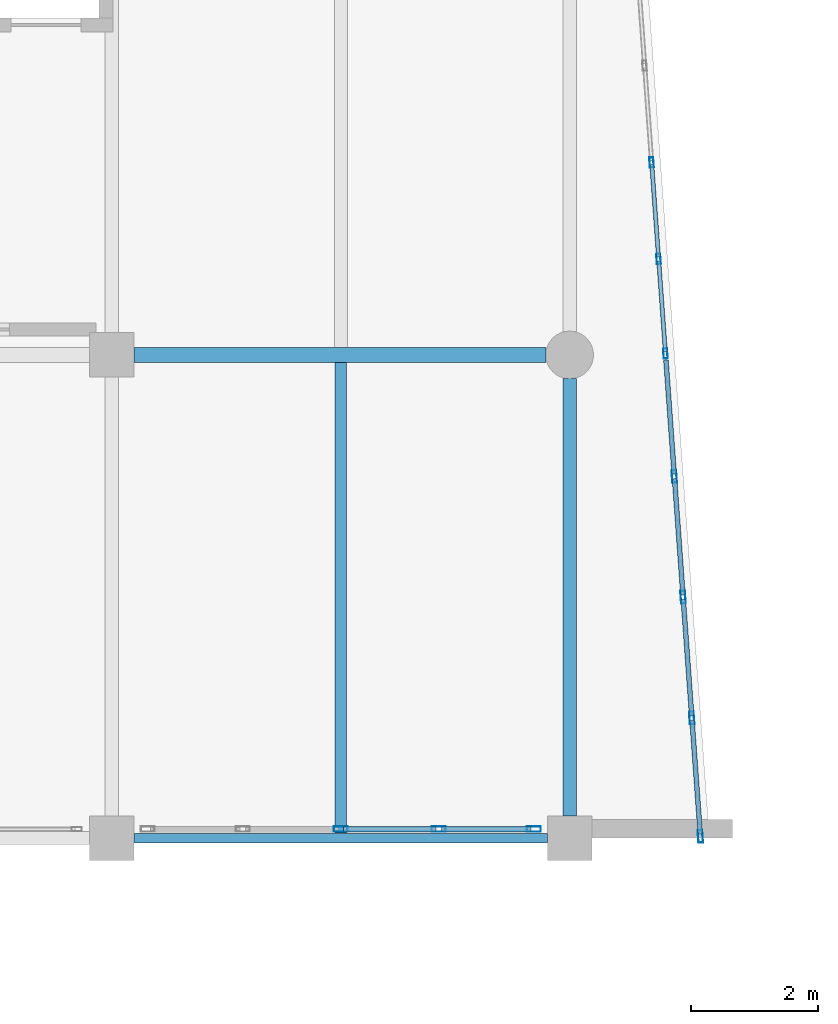
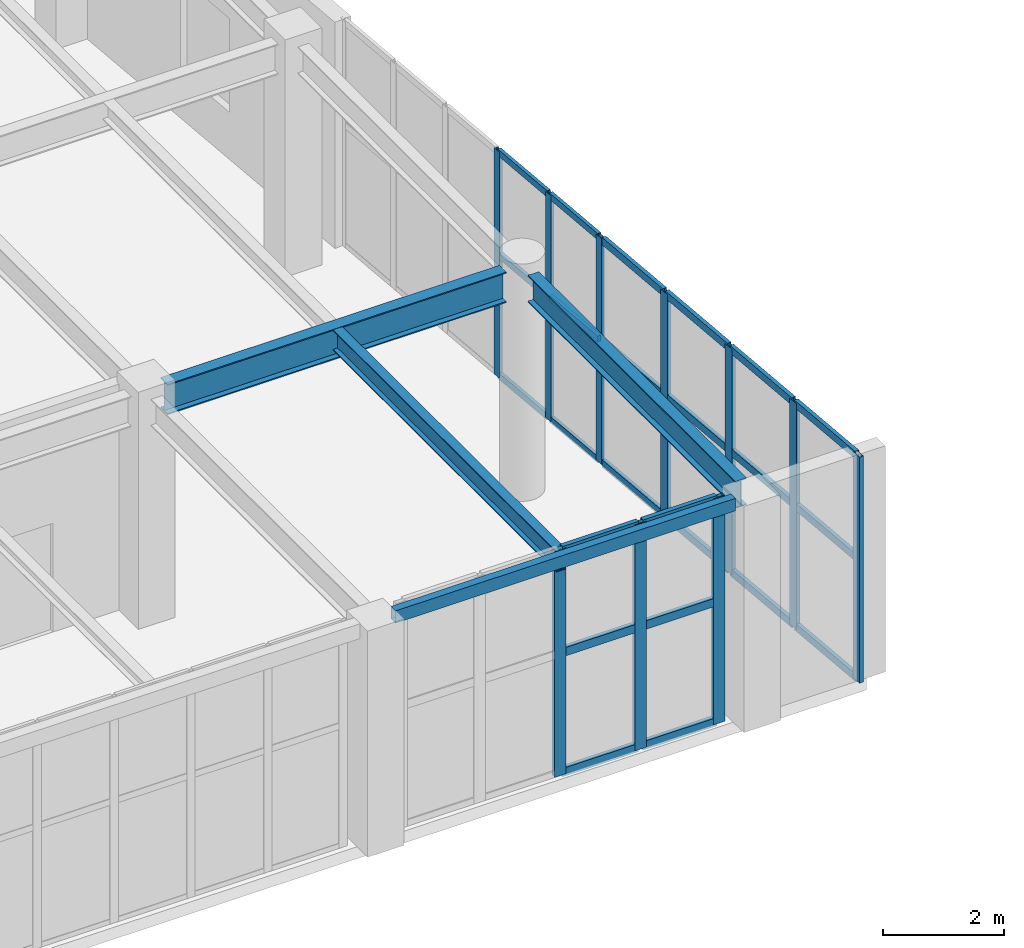
# One storey, part 25 of 72: 34 members, 4 beams, 3 elements without a shape of their own.
"""IFC4 building model written with IfcOpenShell, lengths in metres."""

from ifc_helpers import new_model, si_unit, direction, frame, origin, origin_2d, place, context, subcontext, project, spatial, hollow_rectangle, i_section, extrude, material, layer, layer_set, material_profile, profile_set, type_object, element, aggregate, save


model = new_model("IFC4")

# Units and contexts
model_context = context("Model", 3, precision=1e-05, world=origin(), true_north=direction((0.0, 1.0)))
body_context = subcontext(model_context, "Body", "Model", "MODEL_VIEW")
ifc_project = project(units=[si_unit("LENGTHUNIT", "METRE"), si_unit("AREAUNIT", "SQUARE_METRE"), si_unit("VOLUMEUNIT", "CUBIC_METRE"), si_unit("PLANEANGLEUNIT", "RADIAN"), si_unit("MASSUNIT", "GRAM", prefix="KILO")], contexts=[model_context])

# Site, building, storey
site_placement = place(None, origin())
site = spatial("IfcSite", under=ifc_project, at=site_placement, CompositionType="ELEMENT")
building_placement = place(site_placement, origin())
building = spatial("IfcBuilding", under=site, at=building_placement, Name="Xicomal Pleat Aquarium", CompositionType="ELEMENT")
storey_placement = place(building_placement, frame((0.0, 0.0, 10.5)))
storey = spatial("IfcBuildingStorey", under=building, at=storey_placement, Name="L03", CompositionType="ELEMENT", Elevation=10.5)

# Beams
ifc_material_1 = material(Name="Structural steel A992 Gr 50", Category="steel")
ifc_material_profile_1 = material_profile(ifc_material_1, i_section(OverallWidth=0.180908203125, OverallDepth=0.4169921875, WebThickness=0.010986328125, FlangeThickness=0.018310546875, at=origin_2d()), Name="IR 410x85")
ifc_profile_set_1 = profile_set([ifc_material_profile_1], Name="Structural steel A992 Gr 50")
beam_type_1 = type_object("IfcBeamType", Name="BM-STL-IR410", PredefinedType="JOIST", material=ifc_profile_set_1)
beam_1_placement = place(storey_placement, frame((114.60009765625, 38.077880859375, 4.366455078125), z_axis=(0.0, 1.0, 0.0), x_axis=(-1.0, 0.0, 0.0)))
element("IfcBeam", 1, at=beam_1_placement, inside=storey, type_object=beam_type_1, Name="L03 framing beam FBJ-L03-14-F-1", PredefinedType="JOIST", context=body_context, shape_type="SweptSolid", body=[
    extrude(i_section(OverallWidth=0.180908203125, OverallDepth=0.4169921875, WebThickness=0.010986328125, FlangeThickness=0.018310546875, at=origin_2d()), origin(), (0.0, 0.0, 1.0), 7.404052734375),
])
ifc_material_2 = material(Name="Structural steel A992 Gr 50", Category="steel")
ifc_material_profile_2 = material_profile(ifc_material_2, i_section(OverallWidth=0.2119140625, OverallDepth=0.5439453125, WebThickness=0.01318359375, FlangeThickness=0.021240234375, at=origin_2d()), Name="IR 530x123")
ifc_profile_set_2 = profile_set([ifc_material_profile_2], Name="Structural steel A992 Gr 50")
beam_type_2 = type_object("IfcBeamType", Name="BM-STL-IR530", PredefinedType="BEAM", material=ifc_profile_set_2)
beam_2_placement = place(storey_placement, frame((118.199951171875, 38.344970703125, 4.302978515625), z_axis=(0.0, 1.0, 0.0), x_axis=(-1.0, 0.0, 0.0)))
element("IfcBeam", 2, at=beam_2_placement, inside=storey, type_object=beam_type_2, Name="L03 framing beam FGY-L03-15-F-G", PredefinedType="BEAM", context=body_context, shape_type="SweptSolid", body=[
    extrude(i_section(OverallWidth=0.2119140625, OverallDepth=0.5439453125, WebThickness=0.01318359375, FlangeThickness=0.021240234375, at=origin_2d()), origin(), (0.0, 0.0, 1.0), 6.885009765625),
])
ifc_material_3 = material(Name="Structural steel A992 Gr 50", Category="steel")
ifc_material_profile_3 = material_profile(ifc_material_3, i_section(OverallWidth=0.22998046875, OverallDepth=0.616943359375, WebThickness=0.01318359375, FlangeThickness=0.022216796875, at=origin_2d()), Name="IR 610x140")
ifc_profile_set_3 = profile_set([ifc_material_profile_3], Name="Structural steel A992 Gr 50")
beam_type_3 = type_object("IfcBeamType", Name="BM-STL-IR610", PredefinedType="BEAM", material=ifc_profile_set_3)
beam_3_placement = place(storey_placement, frame((111.344970703125, 45.60009765625, 4.2666015625), z_axis=(1.0, 0.0, 0.0), x_axis=(0.0, 1.0, 0.0)))
element("IfcBeam", 3, at=beam_3_placement, inside=storey, type_object=beam_type_3, Name="L03 framing beam FGX-L03-14-15-G", PredefinedType="BEAM", context=body_context, shape_type="SweptSolid", body=[
    extrude(i_section(OverallWidth=0.22998046875, OverallDepth=0.616943359375, WebThickness=0.01318359375, FlangeThickness=0.022216796875, at=origin_2d()), origin(), (0.0, 0.0, 1.0), 6.485107421875),
])
ifc_material_4 = material(Name="Structural steel A500 Gr C", Category="steel")
ifc_material_profile_4 = material_profile(ifc_material_4, hollow_rectangle(XDim=0.14990234375, YDim=0.25, WallThickness=0.010009765625, at=origin_2d()), Name="OR 250x150x10")
ifc_profile_set_4 = profile_set([ifc_material_profile_4], Name="Structural steel A500 Gr C")
beam_type_4 = type_object("IfcBeamType", Name="BM-STL-OR250", PredefinedType="SPANDREL", material=ifc_profile_set_4)
beam_4_placement = place(storey_placement, frame((111.344970703125, 38.0, 4.449951171875), z_axis=(1.0, 0.0, 0.0), x_axis=(0.0, 1.0, 0.0)))
element("IfcBeam", 4, at=beam_4_placement, inside=storey, type_object=beam_type_4, Name="L03 framing beam FGX-L03-14-15-F", PredefinedType="SPANDREL", context=body_context, shape_type="SweptSolid", body=[
    extrude(hollow_rectangle(XDim=0.14990234375, YDim=0.25, WallThickness=0.010009765625, at=origin_2d()), origin(), (0.0, 0.0, 1.0), 6.510009765625),
])

# Curtain wall, members
ifc_material_5 = material(Name="Bronze anodized aluminium 6063-T6", Category="aluminium")
ifc_layer_1 = layer(ifc_material_5, 0.159912109375)
ifc_layer_set_1 = layer_set([ifc_layer_1], Name="Bronze anodized aluminium 6063-T6")
curtain_wall_type_1 = type_object("IfcCurtainWallType", Name="CW-SYS-03", PredefinedType="NOTDEFINED", material=ifc_layer_set_1)
curtain_wall_1_placement = place(storey_placement, origin())
curtain_wall_1 = element("IfcCurtainWall", 5, at=curtain_wall_1_placement, inside=storey, type_object=curtain_wall_type_1, Name="L03 unitised curtain wall CW-L03-159", PredefinedType="NOTDEFINED")
ifc_material_6 = material(Name="Bronze anodized aluminium 6063-T6", Category="aluminium")
ifc_material_profile_5 = material_profile(ifc_material_6, hollow_rectangle(XDim=0.06494140625, YDim=0.159912109375, WallThickness=0.00390625, at=origin_2d()), Name="ALU MULL 65x160")
ifc_profile_set_5 = profile_set([ifc_material_profile_5], Name="Bronze anodized aluminium 6063-T6")
member_type_1 = type_object("IfcMemberType", Name="CWM-65x160", PredefinedType="MULLION", material=ifc_profile_set_5)
member_1_placement = place(storey_placement, frame((119.489990234375, 48.6298828125, 0.0), z_axis=(0.0, 0.0, 1.0), x_axis=(0.997391646685, 0.072179658646, 0.0)))
member_1 = element("IfcMember", 6, at=member_1_placement, type_object=member_type_1, Name="CW-03 mullion 4", PredefinedType="MULLION", context=body_context, shape_type="SweptSolid", body=[
    extrude(hollow_rectangle(XDim=0.06494140625, YDim=0.159912109375, WallThickness=0.00390625, at=origin_2d()), origin(), (0.0, 0.0, 1.0), 4.574951171875),
])
member_2_placement = place(storey_placement, frame((119.60009765625, 47.110107421875, 0.0), z_axis=(0.0, 0.0, 1.0), x_axis=(0.997391646685, 0.072179658646, 0.0)))
member_2 = element("IfcMember", 7, at=member_2_placement, type_object=member_type_1, Name="CW-03 mullion 5", PredefinedType="MULLION", context=body_context, shape_type="SweptSolid", body=[
    extrude(hollow_rectangle(XDim=0.06494140625, YDim=0.159912109375, WallThickness=0.00390625, at=origin_2d()), origin(), (0.0, 0.0, 1.0), 4.574951171875),
])
member_3_placement = place(storey_placement, frame((119.707763671875, 45.622314453125, 0.0), z_axis=(0.0, 0.0, 1.0), x_axis=(0.997391646685, 0.072179658646, 0.0)))
member_3 = element("IfcMember", 8, at=member_3_placement, type_object=member_type_1, Name="CW-03 mullion 6", PredefinedType="MULLION", context=body_context, shape_type="SweptSolid", body=[
    extrude(hollow_rectangle(XDim=0.06494140625, YDim=0.159912109375, WallThickness=0.00390625, at=origin_2d()), origin(), (0.0, 0.0, 1.0), 4.574951171875),
])

ifc_material_7 = material(Name="Bronze anodized aluminium 6063-T6", Category="aluminium")
ifc_layer_2 = layer(ifc_material_7, 0.159912109375)
ifc_layer_set_2 = layer_set([ifc_layer_2], Name="Bronze anodized aluminium 6063-T6")
curtain_wall_type_2 = type_object("IfcCurtainWallType", Name="CW-SYS-08", PredefinedType="NOTDEFINED", material=ifc_layer_set_2)
curtain_wall_2_placement = place(storey_placement, origin())
curtain_wall_2 = element("IfcCurtainWall", 9, at=curtain_wall_2_placement, inside=storey, type_object=curtain_wall_type_2, Name="L03 unitised curtain wall CW-L03-160", PredefinedType="NOTDEFINED")
ifc_material_8 = material(Name="Bronze anodized aluminium 6063-T6", Category="aluminium")
ifc_material_profile_6 = material_profile(ifc_material_8, hollow_rectangle(XDim=0.074951171875, YDim=0.199951171875, WallThickness=0.00439453125, at=origin_2d()), Name="ALU MULL 75x200")
ifc_profile_set_6 = profile_set([ifc_material_profile_6], Name="Bronze anodized aluminium 6063-T6")
member_type_2 = type_object("IfcMemberType", Name="CWM-75x200", PredefinedType="MULLION", material=ifc_profile_set_6)
member_4_placement = place(storey_placement, frame((119.847412109375, 43.68994140625, 0.0), z_axis=(0.0, 0.0, 1.0), x_axis=(0.997391646685, 0.072179658646, 0.0)))
member_4 = element("IfcMember", 10, at=member_4_placement, type_object=member_type_2, Name="CW-08 mullion 2", PredefinedType="MULLION", context=body_context, shape_type="SweptSolid", body=[
    extrude(hollow_rectangle(XDim=0.074951171875, YDim=0.199951171875, WallThickness=0.00439453125, at=origin_2d()), origin(), (0.0, 0.0, 1.0), 4.574951171875),
])
member_5_placement = place(storey_placement, frame((119.985107421875, 41.7900390625, 0.0), z_axis=(0.0, 0.0, 1.0), x_axis=(0.997391646685, 0.072179658646, 0.0)))
member_5 = element("IfcMember", 11, at=member_5_placement, type_object=member_type_2, Name="CW-08 mullion 3", PredefinedType="MULLION", context=body_context, shape_type="SweptSolid", body=[
    extrude(hollow_rectangle(XDim=0.074951171875, YDim=0.199951171875, WallThickness=0.00439453125, at=origin_2d()), origin(), (0.0, 0.0, 1.0), 4.574951171875),
])
member_6_placement = place(storey_placement, frame((120.12255859375, 39.889892578125, 0.0), z_axis=(0.0, 0.0, 1.0), x_axis=(0.997391646685, 0.072179658646, 0.0)))
member_6 = element("IfcMember", 12, at=member_6_placement, type_object=member_type_2, Name="CW-08 mullion 4", PredefinedType="MULLION", context=body_context, shape_type="SweptSolid", body=[
    extrude(hollow_rectangle(XDim=0.074951171875, YDim=0.199951171875, WallThickness=0.00439453125, at=origin_2d()), origin(), (0.0, 0.0, 1.0), 4.574951171875),
])
member_7_placement = place(storey_placement, frame((120.25732421875, 38.02734375, 0.0), z_axis=(0.0, 0.0, 1.0), x_axis=(0.997391646685, 0.072179658646, 0.0)))
member_7 = element("IfcMember", 13, at=member_7_placement, type_object=member_type_2, Name="CW-08 mullion 5", PredefinedType="MULLION", context=body_context, shape_type="SweptSolid", body=[
    extrude(hollow_rectangle(XDim=0.074951171875, YDim=0.199951171875, WallThickness=0.00439453125, at=origin_2d()), origin(), (0.0, 0.0, 1.0), 4.574951171875),
])

curtain_wall_3_placement = place(storey_placement, origin())
curtain_wall_3 = element("IfcCurtainWall", 14, at=curtain_wall_3_placement, inside=storey, type_object=curtain_wall_type_1, Name="L03 unitised curtain wall CW-L03-161", PredefinedType="NOTDEFINED")
ifc_material_9 = material(Name="Bronze anodized aluminium 6063-T6", Category="aluminium")
ifc_material_profile_7 = material_profile(ifc_material_9, hollow_rectangle(XDim=0.0849609375, YDim=0.219970703125, WallThickness=0.0048828125, at=origin_2d()), Name="ALU MULL 85x220")
ifc_profile_set_7 = profile_set([ifc_material_profile_7], Name="Bronze anodized aluminium 6063-T6")
member_type_3 = type_object("IfcMemberType", Name="CWM-85x220", PredefinedType="MULLION", material=ifc_profile_set_7)
member_8_placement = place(storey_placement, frame((117.637451171875, 38.139892578125, 0.0), z_axis=(0.0, 0.0, 1.0), x_axis=(0.0, -1.0, 0.0)))
member_8 = element("IfcMember", 15, at=member_8_placement, type_object=member_type_3, Name="CW-03 mullion 1", PredefinedType="MULLION", context=body_context, shape_type="SweptSolid", body=[
    extrude(hollow_rectangle(XDim=0.0849609375, YDim=0.219970703125, WallThickness=0.0048828125, at=origin_2d()), origin(), (0.0, 0.0, 1.0), 4.574951171875),
])
member_9_placement = place(storey_placement, frame((116.139892578125, 38.139892578125, 0.0), z_axis=(0.0, 0.0, 1.0), x_axis=(0.0, -1.0, 0.0)))
member_9 = element("IfcMember", 16, at=member_9_placement, type_object=member_type_3, Name="CW-03 mullion 2", PredefinedType="MULLION", context=body_context, shape_type="SweptSolid", body=[
    extrude(hollow_rectangle(XDim=0.0849609375, YDim=0.219970703125, WallThickness=0.0048828125, at=origin_2d()), origin(), (0.0, 0.0, 1.0), 4.574951171875),
])
member_10_placement = place(storey_placement, frame((114.60009765625, 38.139892578125, 0.0), z_axis=(0.0, 0.0, 1.0), x_axis=(0.0, -1.0, 0.0)))
member_10 = element("IfcMember", 17, at=member_10_placement, type_object=member_type_3, Name="CW-03 mullion 3", PredefinedType="MULLION", context=body_context, shape_type="SweptSolid", body=[
    extrude(hollow_rectangle(XDim=0.0849609375, YDim=0.219970703125, WallThickness=0.0048828125, at=origin_2d()), origin(), (0.0, 0.0, 1.0), 4.574951171875),
])

# Member
ifc_material_10 = material(Name="Bronze anodized aluminium 6063-T6", Category="aluminium")
ifc_material_profile_8 = material_profile(ifc_material_10, hollow_rectangle(XDim=0.06494140625, YDim=0.1298828125, WallThickness=0.00390625, at=origin_2d()), Name="ALU TRAN 65x130")
ifc_profile_set_8 = profile_set([ifc_material_profile_8], Name="Bronze anodized aluminium 6063-T6")
member_type_4 = type_object("IfcMemberType", Name="CWT-65x130", PredefinedType="USERDEFINED", material=ifc_profile_set_8)
member_11_placement = place(storey_placement, frame((119.4921875, 48.59765625, 0.032470703125), z_axis=(0.072281497284, -0.997384271558, 0.0), x_axis=(0.997384271558, 0.072281497284, 0.0)))
member_11 = element("IfcMember", 18, at=member_11_placement, type_object=member_type_4, Name="CW-03 transom 4.1", ObjectType="TRANSOM", PredefinedType="USERDEFINED", context=body_context, shape_type="SweptSolid", body=[
    extrude(hollow_rectangle(XDim=0.06494140625, YDim=0.1298828125, WallThickness=0.00390625, at=origin_2d()), origin(), (0.0, 0.0, 1.0), 1.459228515625),
])

member_12_placement = place(storey_placement, frame((119.4921875, 48.59765625, 2.469970703125), z_axis=(0.072281497284, -0.997384271558, 0.0), x_axis=(0.997384271558, 0.072281497284, 0.0)))
member_12 = element("IfcMember", 19, at=member_12_placement, type_object=member_type_4, Name="CW-03 transom 4.2", ObjectType="TRANSOM", PredefinedType="USERDEFINED", context=body_context, shape_type="SweptSolid", body=[
    extrude(hollow_rectangle(XDim=0.06494140625, YDim=0.1298828125, WallThickness=0.00390625, at=origin_2d()), origin(), (0.0, 0.0, 1.0), 1.459228515625),
])

member_13_placement = place(storey_placement, frame((119.4921875, 48.59765625, 4.54248046875), z_axis=(0.072281497284, -0.997384271558, 0.0), x_axis=(0.997384271558, 0.072281497284, 0.0)))
member_13 = element("IfcMember", 20, at=member_13_placement, type_object=member_type_4, Name="CW-03 transom 4.3", ObjectType="TRANSOM", PredefinedType="USERDEFINED", context=body_context, shape_type="SweptSolid", body=[
    extrude(hollow_rectangle(XDim=0.06494140625, YDim=0.1298828125, WallThickness=0.00390625, at=origin_2d()), origin(), (0.0, 0.0, 1.0), 1.459228515625),
])

member_14_placement = place(storey_placement, frame((119.602294921875, 47.07763671875, 0.032470703125), z_axis=(0.072219979953, -0.997388727877, 0.0), x_axis=(0.997388727877, 0.072219979953, 0.0)))
member_14 = element("IfcMember", 21, at=member_14_placement, type_object=member_type_4, Name="CW-03 transom 5.1", ObjectType="TRANSOM", PredefinedType="USERDEFINED", context=body_context, shape_type="SweptSolid", body=[
    extrude(hollow_rectangle(XDim=0.06494140625, YDim=0.1298828125, WallThickness=0.00390625, at=origin_2d()), origin(), (0.0, 0.0, 1.0), 1.426513671875),
])

member_15_placement = place(storey_placement, frame((119.602294921875, 47.07763671875, 2.469970703125), z_axis=(0.072219979953, -0.997388727877, 0.0), x_axis=(0.997388727877, 0.072219979953, 0.0)))
member_15 = element("IfcMember", 22, at=member_15_placement, type_object=member_type_4, Name="CW-03 transom 5.2", ObjectType="TRANSOM", PredefinedType="USERDEFINED", context=body_context, shape_type="SweptSolid", body=[
    extrude(hollow_rectangle(XDim=0.06494140625, YDim=0.1298828125, WallThickness=0.00390625, at=origin_2d()), origin(), (0.0, 0.0, 1.0), 1.426513671875),
])

member_16_placement = place(storey_placement, frame((119.602294921875, 47.07763671875, 4.54248046875), z_axis=(0.072219979953, -0.997388727877, 0.0), x_axis=(0.997388727877, 0.072219979953, 0.0)))
member_16 = element("IfcMember", 23, at=member_16_placement, type_object=member_type_4, Name="CW-03 transom 5.3", ObjectType="TRANSOM", PredefinedType="USERDEFINED", context=body_context, shape_type="SweptSolid", body=[
    extrude(hollow_rectangle(XDim=0.06494140625, YDim=0.1298828125, WallThickness=0.00390625, at=origin_2d()), origin(), (0.0, 0.0, 1.0), 1.426513671875),
])

aggregate(curtain_wall_1, [member_1, member_2, member_3, member_11, member_12, member_13, member_14, member_15, member_16])

ifc_material_11 = material(Name="Bronze anodized aluminium 6063-T6", Category="aluminium")
ifc_material_profile_9 = material_profile(ifc_material_11, hollow_rectangle(XDim=0.074951171875, YDim=0.14990234375, WallThickness=0.00439453125, at=origin_2d()), Name="ALU TRAN 75x150")
ifc_profile_set_9 = profile_set([ifc_material_profile_9], Name="Bronze anodized aluminium 6063-T6")
member_type_5 = type_object("IfcMemberType", Name="CWT-75x150", PredefinedType="USERDEFINED", material=ifc_profile_set_9)
member_17_placement = place(storey_placement, frame((119.71533203125, 45.51513671875, 0.03759765625), z_axis=(0.072185898322, -0.99739119511, 0.0), x_axis=(0.99739119511, 0.072185898322, 0.0)))
member_17 = element("IfcMember", 24, at=member_17_placement, type_object=member_type_5, Name="CW-08 transom 1.1", ObjectType="TRANSOM", PredefinedType="USERDEFINED", context=body_context, shape_type="SweptSolid", body=[
    extrude(hollow_rectangle(XDim=0.074951171875, YDim=0.14990234375, WallThickness=0.00439453125, at=origin_2d()), origin(), (0.0, 0.0, 1.0), 1.79248046875),
])

member_18_placement = place(storey_placement, frame((119.71533203125, 45.51513671875, 2.469970703125), z_axis=(0.072185898322, -0.99739119511, 0.0), x_axis=(0.99739119511, 0.072185898322, 0.0)))
member_18 = element("IfcMember", 25, at=member_18_placement, type_object=member_type_5, Name="CW-08 transom 1.2", ObjectType="TRANSOM", PredefinedType="USERDEFINED", context=body_context, shape_type="SweptSolid", body=[
    extrude(hollow_rectangle(XDim=0.074951171875, YDim=0.14990234375, WallThickness=0.00439453125, at=origin_2d()), origin(), (0.0, 0.0, 1.0), 1.79248046875),
])

member_19_placement = place(storey_placement, frame((119.71533203125, 45.51513671875, 4.53759765625), z_axis=(0.072185898322, -0.99739119511, 0.0), x_axis=(0.99739119511, 0.072185898322, 0.0)))
member_19 = element("IfcMember", 26, at=member_19_placement, type_object=member_type_5, Name="CW-08 transom 1.3", ObjectType="TRANSOM", PredefinedType="USERDEFINED", context=body_context, shape_type="SweptSolid", body=[
    extrude(hollow_rectangle(XDim=0.074951171875, YDim=0.14990234375, WallThickness=0.00439453125, at=origin_2d()), origin(), (0.0, 0.0, 1.0), 1.79248046875),
])

member_20_placement = place(storey_placement, frame((119.85009765625, 43.652587890625, 0.03759765625), z_axis=(0.072308881667, -0.997382286604, 0.0), x_axis=(0.997382286604, 0.072308881667, 0.0)))
member_20 = element("IfcMember", 27, at=member_20_placement, type_object=member_type_5, Name="CW-08 transom 2.1", ObjectType="TRANSOM", PredefinedType="USERDEFINED", context=body_context, shape_type="SweptSolid", body=[
    extrude(hollow_rectangle(XDim=0.074951171875, YDim=0.14990234375, WallThickness=0.00439453125, at=origin_2d()), origin(), (0.0, 0.0, 1.0), 1.830078125),
])

member_21_placement = place(storey_placement, frame((119.85009765625, 43.652587890625, 2.469970703125), z_axis=(0.072308881667, -0.997382286604, 0.0), x_axis=(0.997382286604, 0.072308881667, 0.0)))
member_21 = element("IfcMember", 28, at=member_21_placement, type_object=member_type_5, Name="CW-08 transom 2.2", ObjectType="TRANSOM", PredefinedType="USERDEFINED", context=body_context, shape_type="SweptSolid", body=[
    extrude(hollow_rectangle(XDim=0.074951171875, YDim=0.14990234375, WallThickness=0.00439453125, at=origin_2d()), origin(), (0.0, 0.0, 1.0), 1.830078125),
])

member_22_placement = place(storey_placement, frame((119.85009765625, 43.652587890625, 4.53759765625), z_axis=(0.072308881667, -0.997382286604, 0.0), x_axis=(0.997382286604, 0.072308881667, 0.0)))
member_22 = element("IfcMember", 29, at=member_22_placement, type_object=member_type_5, Name="CW-08 transom 2.3", ObjectType="TRANSOM", PredefinedType="USERDEFINED", context=body_context, shape_type="SweptSolid", body=[
    extrude(hollow_rectangle(XDim=0.074951171875, YDim=0.14990234375, WallThickness=0.00439453125, at=origin_2d()), origin(), (0.0, 0.0, 1.0), 1.830078125),
])

member_23_placement = place(storey_placement, frame((119.98779296875, 41.752685546875, 0.03759765625), z_axis=(0.072176166077, -0.997391899431, 0.0), x_axis=(0.997391899431, 0.072176166077, 0.0)))
member_23 = element("IfcMember", 30, at=member_23_placement, type_object=member_type_5, Name="CW-08 transom 3.1", ObjectType="TRANSOM", PredefinedType="USERDEFINED", context=body_context, shape_type="SweptSolid", body=[
    extrude(hollow_rectangle(XDim=0.074951171875, YDim=0.14990234375, WallThickness=0.00439453125, at=origin_2d()), origin(), (0.0, 0.0, 1.0), 1.830078125),
])

member_24_placement = place(storey_placement, frame((119.98779296875, 41.752685546875, 2.469970703125), z_axis=(0.072176166077, -0.997391899431, 0.0), x_axis=(0.997391899431, 0.072176166077, 0.0)))
member_24 = element("IfcMember", 31, at=member_24_placement, type_object=member_type_5, Name="CW-08 transom 3.2", ObjectType="TRANSOM", PredefinedType="USERDEFINED", context=body_context, shape_type="SweptSolid", body=[
    extrude(hollow_rectangle(XDim=0.074951171875, YDim=0.14990234375, WallThickness=0.00439453125, at=origin_2d()), origin(), (0.0, 0.0, 1.0), 1.830078125),
])

member_25_placement = place(storey_placement, frame((119.98779296875, 41.752685546875, 4.53759765625), z_axis=(0.072176166077, -0.997391899431, 0.0), x_axis=(0.997391899431, 0.072176166077, 0.0)))
member_25 = element("IfcMember", 32, at=member_25_placement, type_object=member_type_5, Name="CW-08 transom 3.3", ObjectType="TRANSOM", PredefinedType="USERDEFINED", context=body_context, shape_type="SweptSolid", body=[
    extrude(hollow_rectangle(XDim=0.074951171875, YDim=0.14990234375, WallThickness=0.00439453125, at=origin_2d()), origin(), (0.0, 0.0, 1.0), 1.830078125),
])

member_26_placement = place(storey_placement, frame((120.125244140625, 39.8525390625, 0.03759765625), z_axis=(0.072185898322, -0.99739119511, 0.0), x_axis=(0.99739119511, 0.072185898322, 0.0)))
member_26 = element("IfcMember", 33, at=member_26_placement, type_object=member_type_5, Name="CW-08 transom 4.1", ObjectType="TRANSOM", PredefinedType="USERDEFINED", context=body_context, shape_type="SweptSolid", body=[
    extrude(hollow_rectangle(XDim=0.074951171875, YDim=0.14990234375, WallThickness=0.00439453125, at=origin_2d()), origin(), (0.0, 0.0, 1.0), 1.79248046875),
])

member_27_placement = place(storey_placement, frame((120.125244140625, 39.8525390625, 2.469970703125), z_axis=(0.072185898322, -0.99739119511, 0.0), x_axis=(0.99739119511, 0.072185898322, 0.0)))
member_27 = element("IfcMember", 34, at=member_27_placement, type_object=member_type_5, Name="CW-08 transom 4.2", ObjectType="TRANSOM", PredefinedType="USERDEFINED", context=body_context, shape_type="SweptSolid", body=[
    extrude(hollow_rectangle(XDim=0.074951171875, YDim=0.14990234375, WallThickness=0.00439453125, at=origin_2d()), origin(), (0.0, 0.0, 1.0), 1.79248046875),
])

member_28_placement = place(storey_placement, frame((120.125244140625, 39.8525390625, 4.53759765625), z_axis=(0.072185898322, -0.99739119511, 0.0), x_axis=(0.99739119511, 0.072185898322, 0.0)))
member_28 = element("IfcMember", 35, at=member_28_placement, type_object=member_type_5, Name="CW-08 transom 4.3", ObjectType="TRANSOM", PredefinedType="USERDEFINED", context=body_context, shape_type="SweptSolid", body=[
    extrude(hollow_rectangle(XDim=0.074951171875, YDim=0.14990234375, WallThickness=0.00439453125, at=origin_2d()), origin(), (0.0, 0.0, 1.0), 1.79248046875),
])

aggregate(curtain_wall_2, [member_4, member_5, member_6, member_7, member_17, member_18, member_19, member_20, member_21, member_22, member_23, member_24, member_25, member_26, member_27, member_28])

ifc_material_12 = material(Name="Bronze anodized aluminium 6063-T6", Category="aluminium")
ifc_material_profile_10 = material_profile(ifc_material_12, hollow_rectangle(XDim=0.0849609375, YDim=0.169921875, WallThickness=0.0048828125, at=origin_2d()), Name="ALU TRAN 85x170")
ifc_profile_set_10 = profile_set([ifc_material_profile_10], Name="Bronze anodized aluminium 6063-T6")
member_type_6 = type_object("IfcMemberType", Name="CWT-85x170", PredefinedType="USERDEFINED", material=ifc_profile_set_10)
member_29_placement = place(storey_placement, frame((117.594970703125, 38.139892578125, 0.04248046875), z_axis=(-1.0, 0.0, 0.0), x_axis=(0.0, -1.0, 0.0)))
member_29 = element("IfcMember", 36, at=member_29_placement, type_object=member_type_6, Name="CW-03 transom 1.1", ObjectType="TRANSOM", PredefinedType="USERDEFINED", context=body_context, shape_type="SweptSolid", body=[
    extrude(hollow_rectangle(XDim=0.0849609375, YDim=0.169921875, WallThickness=0.0048828125, at=origin_2d()), origin(), (0.0, 0.0, 1.0), 1.412353515625),
])

member_30_placement = place(storey_placement, frame((117.594970703125, 38.139892578125, 2.469970703125), z_axis=(-1.0, 0.0, 0.0), x_axis=(0.0, -1.0, 0.0)))
member_30 = element("IfcMember", 37, at=member_30_placement, type_object=member_type_6, Name="CW-03 transom 1.2", ObjectType="TRANSOM", PredefinedType="USERDEFINED", context=body_context, shape_type="SweptSolid", body=[
    extrude(hollow_rectangle(XDim=0.0849609375, YDim=0.169921875, WallThickness=0.0048828125, at=origin_2d()), origin(), (0.0, 0.0, 1.0), 1.412353515625),
])

member_31_placement = place(storey_placement, frame((117.594970703125, 38.139892578125, 4.532470703125), z_axis=(-1.0, 0.0, 0.0), x_axis=(0.0, -1.0, 0.0)))
member_31 = element("IfcMember", 38, at=member_31_placement, type_object=member_type_6, Name="CW-03 transom 1.3", ObjectType="TRANSOM", PredefinedType="USERDEFINED", context=body_context, shape_type="SweptSolid", body=[
    extrude(hollow_rectangle(XDim=0.0849609375, YDim=0.169921875, WallThickness=0.0048828125, at=origin_2d()), origin(), (0.0, 0.0, 1.0), 1.412353515625),
])

member_32_placement = place(storey_placement, frame((116.097412109375, 38.139892578125, 0.04248046875), z_axis=(-1.0, 0.0, 0.0), x_axis=(0.0, -1.0, 0.0)))
member_32 = element("IfcMember", 39, at=member_32_placement, type_object=member_type_6, Name="CW-03 transom 2.1", ObjectType="TRANSOM", PredefinedType="USERDEFINED", context=body_context, shape_type="SweptSolid", body=[
    extrude(hollow_rectangle(XDim=0.0849609375, YDim=0.169921875, WallThickness=0.0048828125, at=origin_2d()), origin(), (0.0, 0.0, 1.0), 1.454833984375),
])

member_33_placement = place(storey_placement, frame((116.097412109375, 38.139892578125, 2.469970703125), z_axis=(-1.0, 0.0, 0.0), x_axis=(0.0, -1.0, 0.0)))
member_33 = element("IfcMember", 40, at=member_33_placement, type_object=member_type_6, Name="CW-03 transom 2.2", ObjectType="TRANSOM", PredefinedType="USERDEFINED", context=body_context, shape_type="SweptSolid", body=[
    extrude(hollow_rectangle(XDim=0.0849609375, YDim=0.169921875, WallThickness=0.0048828125, at=origin_2d()), origin(), (0.0, 0.0, 1.0), 1.454833984375),
])

member_34_placement = place(storey_placement, frame((116.097412109375, 38.139892578125, 4.532470703125), z_axis=(-1.0, 0.0, 0.0), x_axis=(0.0, -1.0, 0.0)))
member_34 = element("IfcMember", 41, at=member_34_placement, type_object=member_type_6, Name="CW-03 transom 2.3", ObjectType="TRANSOM", PredefinedType="USERDEFINED", context=body_context, shape_type="SweptSolid", body=[
    extrude(hollow_rectangle(XDim=0.0849609375, YDim=0.169921875, WallThickness=0.0048828125, at=origin_2d()), origin(), (0.0, 0.0, 1.0), 1.454833984375),
])

aggregate(curtain_wall_3, [member_8, member_9, member_10, member_29, member_30, member_31, member_32, member_33, member_34])

save(model, "model.ifc")
